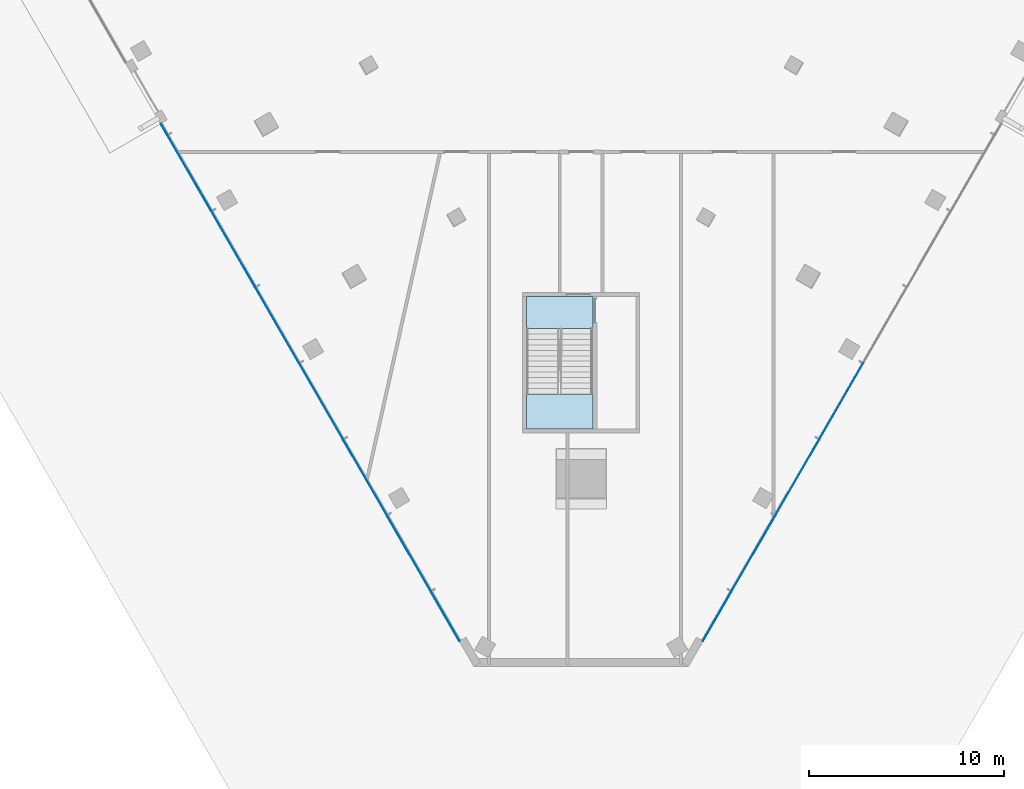
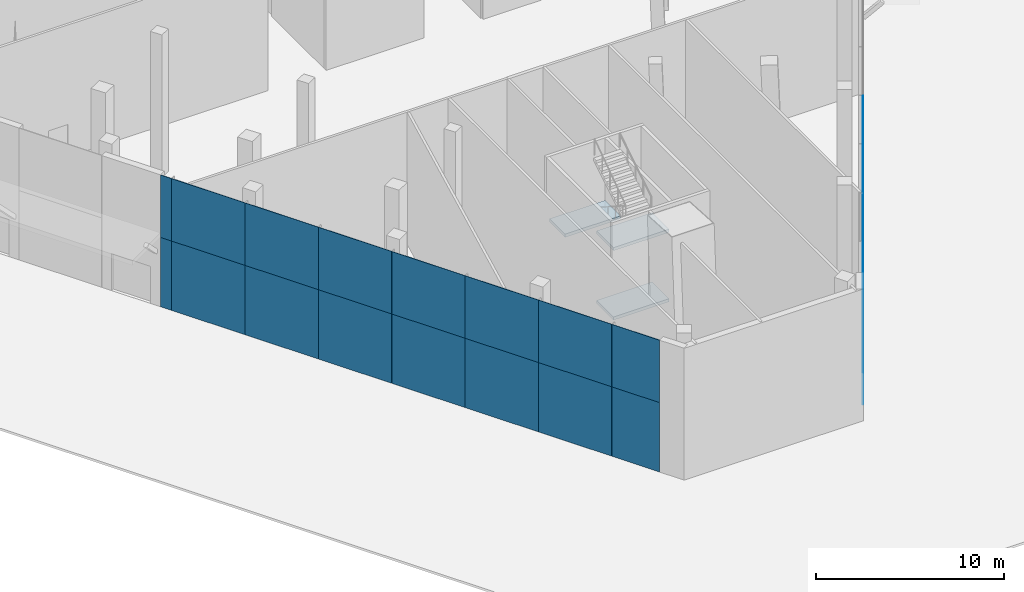
# One storey, part 6 of 21: 24 plates, 3 slabs, 3 elements without a shape of their own.
"""IFC4 building model written with IfcOpenShell, lengths in metres."""

from ifc_helpers import new_model, si_unit, direction, frame, origin, origin_2d, place, context, subcontext, project, spatial, polyline, rectangle, outline, extrude, material, layer, layer_set, type_object, element, aggregate, save


model = new_model("IFC4")

# Units and contexts
model_context = context("Model", 3, precision=1e-05, world=origin(), true_north=direction((0.0, 1.0)))
body_context = subcontext(model_context, "Body", "Model", "MODEL_VIEW")
ifc_project = project(units=[si_unit("LENGTHUNIT", "METRE"), si_unit("AREAUNIT", "SQUARE_METRE"), si_unit("VOLUMEUNIT", "CUBIC_METRE"), si_unit("PLANEANGLEUNIT", "RADIAN"), si_unit("MASSUNIT", "GRAM", prefix="KILO")], contexts=[model_context])

# Site, building, storey
site_placement = place(None, origin())
site = spatial("IfcSite", under=ifc_project, at=site_placement, CompositionType="ELEMENT")
building_placement = place(site_placement, origin())
building = spatial("IfcBuilding", under=site, at=building_placement, Name="Altiplano Prism Tower", CompositionType="ELEMENT")
storey_placement = place(building_placement, origin())
storey = spatial("IfcBuildingStorey", under=building, at=storey_placement, Name="L00", CompositionType="ELEMENT", Elevation=0.0)

# Curtain wall, plates
ifc_material_1 = material(Name="Aluminium and glass", Category="aluminium")
ifc_layer_1 = layer(ifc_material_1, 0.261962890625)
ifc_layer_set_1 = layer_set([ifc_layer_1], Name="Aluminium and glass")
curtain_wall_type = type_object("IfcCurtainWallType", Name="CW4 concourse and street shopfront", PredefinedType="NOTDEFINED", material=ifc_layer_set_1)
curtain_wall_1_placement = place(storey_placement, origin())
curtain_wall_1 = element("IfcCurtainWall", 1, at=curtain_wall_1_placement, inside=storey, type_object=curtain_wall_type, Name="CW4 shopfront south-west face L00", PredefinedType="NOTDEFINED")
ifc_material_2 = material(Name="Clear glass", Category="glass")
ifc_layer_2 = layer(ifc_material_2, 0.031982421875)
ifc_layer_set_2 = layer_set([ifc_layer_2], Name="Clear glass")
plate_type = type_object("IfcPlateType", Name="CW4 laminated glass panel 32", PredefinedType="CURTAIN_PANEL", material=ifc_layer_set_2)
plate_1_placement = place(storey_placement, frame((63.62548828125, 68.553955078125, 0.0), z_axis=(0.0, 0.0, 1.0), x_axis=(0.499999996478, -0.866025405818, 0.0)))
plate_1 = element("IfcPlate", 2, at=plate_1_placement, type_object=plate_type, Name="CW4 panel", PredefinedType="CURTAIN_PANEL", context=body_context, shape_type="SweptSolid", body=[
    extrude(rectangle(XDim=0.67333984375, YDim=0.031982421875, at=origin_2d()), origin(), (0.0, 0.0, 1.0), 4.5),
])
plate_2_placement = place(storey_placement, frame((63.62548828125, 68.553955078125, 4.5), z_axis=(0.0, 0.0, 1.0), x_axis=(0.499999996478, -0.866025405818, 0.0)))
plate_2 = element("IfcPlate", 3, at=plate_2_placement, type_object=plate_type, Name="CW4 panel", PredefinedType="CURTAIN_PANEL", context=body_context, shape_type="SweptSolid", body=[
    extrude(rectangle(XDim=0.67333984375, YDim=0.031982421875, at=origin_2d()), origin(), (0.0, 0.0, 1.0), 4.050048828125),
])
plate_3_placement = place(storey_placement, frame((64.921142578125, 66.309326171875, 0.0), z_axis=(0.0, 0.0, 1.0), x_axis=(0.499999996478, -0.866025405818, 0.0)))
plate_3 = element("IfcPlate", 4, at=plate_3_placement, type_object=plate_type, Name="CW4 panel", PredefinedType="CURTAIN_PANEL", context=body_context, shape_type="SweptSolid", body=[
    extrude(rectangle(XDim=4.489990234375, YDim=0.031982421875, at=origin_2d()), origin(), (0.0, 0.0, 1.0), 4.5),
])
plate_4_placement = place(storey_placement, frame((64.921142578125, 66.309326171875, 4.5), z_axis=(0.0, 0.0, 1.0), x_axis=(0.499999996478, -0.866025405818, 0.0)))
plate_4 = element("IfcPlate", 5, at=plate_4_placement, type_object=plate_type, Name="CW4 panel", PredefinedType="CURTAIN_PANEL", context=body_context, shape_type="SweptSolid", body=[
    extrude(rectangle(XDim=4.489990234375, YDim=0.031982421875, at=origin_2d()), origin(), (0.0, 0.0, 1.0), 4.050048828125),
])
plate_5_placement = place(storey_placement, frame((67.171142578125, 62.412353515625, 0.0), z_axis=(0.0, 0.0, 1.0), x_axis=(0.499999996478, -0.866025405818, 0.0)))
plate_5 = element("IfcPlate", 6, at=plate_5_placement, type_object=plate_type, Name="CW4 panel", PredefinedType="CURTAIN_PANEL", context=body_context, shape_type="SweptSolid", body=[
    extrude(rectangle(XDim=4.489990234375, YDim=0.031982421875, at=origin_2d()), origin(), (0.0, 0.0, 1.0), 4.5),
])
plate_6_placement = place(storey_placement, frame((67.171142578125, 62.412353515625, 4.5), z_axis=(0.0, 0.0, 1.0), x_axis=(0.499999996478, -0.866025405818, 0.0)))
plate_6 = element("IfcPlate", 7, at=plate_6_placement, type_object=plate_type, Name="CW4 panel", PredefinedType="CURTAIN_PANEL", context=body_context, shape_type="SweptSolid", body=[
    extrude(rectangle(XDim=4.489990234375, YDim=0.031982421875, at=origin_2d()), origin(), (0.0, 0.0, 1.0), 4.050048828125),
])
plate_7_placement = place(storey_placement, frame((69.421142578125, 58.51513671875, 0.0), z_axis=(0.0, 0.0, 1.0), x_axis=(0.499999996478, -0.866025405818, 0.0)))
plate_7 = element("IfcPlate", 8, at=plate_7_placement, type_object=plate_type, Name="CW4 panel", PredefinedType="CURTAIN_PANEL", context=body_context, shape_type="SweptSolid", body=[
    extrude(rectangle(XDim=4.489990234375, YDim=0.031982421875, at=origin_2d()), origin(), (0.0, 0.0, 1.0), 4.5),
])
plate_8_placement = place(storey_placement, frame((69.421142578125, 58.51513671875, 4.5), z_axis=(0.0, 0.0, 1.0), x_axis=(0.499999996478, -0.866025405818, 0.0)))
plate_8 = element("IfcPlate", 9, at=plate_8_placement, type_object=plate_type, Name="CW4 panel", PredefinedType="CURTAIN_PANEL", context=body_context, shape_type="SweptSolid", body=[
    extrude(rectangle(XDim=4.489990234375, YDim=0.031982421875, at=origin_2d()), origin(), (0.0, 0.0, 1.0), 4.050048828125),
])
plate_9_placement = place(storey_placement, frame((71.671142578125, 54.6181640625, 0.0), z_axis=(0.0, 0.0, 1.0), x_axis=(0.499999996478, -0.866025405818, 0.0)))
plate_9 = element("IfcPlate", 10, at=plate_9_placement, type_object=plate_type, Name="CW4 panel", PredefinedType="CURTAIN_PANEL", context=body_context, shape_type="SweptSolid", body=[
    extrude(rectangle(XDim=4.489990234375, YDim=0.031982421875, at=origin_2d()), origin(), (0.0, 0.0, 1.0), 4.5),
])
plate_10_placement = place(storey_placement, frame((71.671142578125, 54.6181640625, 4.5), z_axis=(0.0, 0.0, 1.0), x_axis=(0.499999996478, -0.866025405818, 0.0)))
plate_10 = element("IfcPlate", 11, at=plate_10_placement, type_object=plate_type, Name="CW4 panel", PredefinedType="CURTAIN_PANEL", context=body_context, shape_type="SweptSolid", body=[
    extrude(rectangle(XDim=4.489990234375, YDim=0.031982421875, at=origin_2d()), origin(), (0.0, 0.0, 1.0), 4.050048828125),
])
plate_11_placement = place(storey_placement, frame((73.921142578125, 50.720947265625, 0.0), z_axis=(0.0, 0.0, 1.0), x_axis=(0.499999996478, -0.866025405818, 0.0)))
plate_11 = element("IfcPlate", 12, at=plate_11_placement, type_object=plate_type, Name="CW4 panel", PredefinedType="CURTAIN_PANEL", context=body_context, shape_type="SweptSolid", body=[
    extrude(rectangle(XDim=4.489990234375, YDim=0.031982421875, at=origin_2d()), origin(), (0.0, 0.0, 1.0), 4.5),
])
plate_12_placement = place(storey_placement, frame((73.921142578125, 50.720947265625, 4.5), z_axis=(0.0, 0.0, 1.0), x_axis=(0.499999996478, -0.866025405818, 0.0)))
plate_12 = element("IfcPlate", 13, at=plate_12_placement, type_object=plate_type, Name="CW4 panel", PredefinedType="CURTAIN_PANEL", context=body_context, shape_type="SweptSolid", body=[
    extrude(rectangle(XDim=4.489990234375, YDim=0.031982421875, at=origin_2d()), origin(), (0.0, 0.0, 1.0), 4.050048828125),
])
plate_13_placement = place(storey_placement, frame((76.171142578125, 46.823974609375, 0.0), z_axis=(0.0, 0.0, 1.0), x_axis=(0.499999996478, -0.866025405818, 0.0)))
plate_13 = element("IfcPlate", 14, at=plate_13_placement, type_object=plate_type, Name="CW4 panel", PredefinedType="CURTAIN_PANEL", context=body_context, shape_type="SweptSolid", body=[
    extrude(rectangle(XDim=4.489990234375, YDim=0.031982421875, at=origin_2d()), origin(), (0.0, 0.0, 1.0), 4.5),
])
plate_14_placement = place(storey_placement, frame((76.171142578125, 46.823974609375, 4.5), z_axis=(0.0, 0.0, 1.0), x_axis=(0.499999996478, -0.866025405818, 0.0)))
plate_14 = element("IfcPlate", 15, at=plate_14_placement, type_object=plate_type, Name="CW4 panel", PredefinedType="CURTAIN_PANEL", context=body_context, shape_type="SweptSolid", body=[
    extrude(rectangle(XDim=4.489990234375, YDim=0.031982421875, at=origin_2d()), origin(), (0.0, 0.0, 1.0), 4.050048828125),
])
plate_15_placement = place(storey_placement, frame((78.030029296875, 43.604248046875, 0.0), z_axis=(0.0, 0.0, 1.0), x_axis=(0.499999996478, -0.866025405818, 0.0)))
plate_15 = element("IfcPlate", 16, at=plate_15_placement, type_object=plate_type, Name="CW4 panel", PredefinedType="CURTAIN_PANEL", context=body_context, shape_type="SweptSolid", body=[
    extrude(rectangle(XDim=2.92529296875, YDim=0.031982421875, at=origin_2d()), origin(), (0.0, 0.0, 1.0), 4.5),
])
plate_16_placement = place(storey_placement, frame((78.030029296875, 43.604248046875, 4.5), z_axis=(0.0, 0.0, 1.0), x_axis=(0.499999996478, -0.866025405818, 0.0)))
plate_16 = element("IfcPlate", 17, at=plate_16_placement, type_object=plate_type, Name="CW4 panel", PredefinedType="CURTAIN_PANEL", context=body_context, shape_type="SweptSolid", body=[
    extrude(rectangle(XDim=2.92529296875, YDim=0.031982421875, at=origin_2d()), origin(), (0.0, 0.0, 1.0), 4.050048828125),
])
aggregate(curtain_wall_1, [plate_1, plate_2, plate_3, plate_4, plate_5, plate_6, plate_7, plate_8, plate_9, plate_10, plate_11, plate_12, plate_13, plate_14, plate_15, plate_16])

curtain_wall_2_placement = place(storey_placement, origin())
curtain_wall_2 = element("IfcCurtainWall", 18, at=curtain_wall_2_placement, inside=storey, type_object=curtain_wall_type, Name="CW4 shopfront south-east face L00", PredefinedType="NOTDEFINED")
plate_17_placement = place(storey_placement, frame((91.969970703125, 43.604248046875, 0.0), z_axis=(0.0, 0.0, 1.0), x_axis=(0.499999996478, 0.866025405818, 0.0)))
plate_17 = element("IfcPlate", 19, at=plate_17_placement, type_object=plate_type, Name="CW4 panel", PredefinedType="CURTAIN_PANEL", context=body_context, shape_type="SweptSolid", body=[
    extrude(rectangle(XDim=2.92529296875, YDim=0.031982421875, at=origin_2d()), origin(), (0.0, 0.0, 1.0), 4.5),
])
plate_18_placement = place(storey_placement, frame((91.969970703125, 43.604248046875, 4.5), z_axis=(0.0, 0.0, 1.0), x_axis=(0.499999996478, 0.866025405818, 0.0)))
plate_18 = element("IfcPlate", 20, at=plate_18_placement, type_object=plate_type, Name="CW4 panel", PredefinedType="CURTAIN_PANEL", context=body_context, shape_type="SweptSolid", body=[
    extrude(rectangle(XDim=2.92529296875, YDim=0.031982421875, at=origin_2d()), origin(), (0.0, 0.0, 1.0), 4.050048828125),
])
plate_19_placement = place(storey_placement, frame((93.828857421875, 46.823974609375, 0.0), z_axis=(0.0, 0.0, 1.0), x_axis=(0.499999996478, 0.866025405818, 0.0)))
plate_19 = element("IfcPlate", 21, at=plate_19_placement, type_object=plate_type, Name="CW4 panel", PredefinedType="CURTAIN_PANEL", context=body_context, shape_type="SweptSolid", body=[
    extrude(rectangle(XDim=4.489990234375, YDim=0.031982421875, at=origin_2d()), origin(), (0.0, 0.0, 1.0), 4.5),
])
plate_20_placement = place(storey_placement, frame((93.828857421875, 46.823974609375, 4.5), z_axis=(0.0, 0.0, 1.0), x_axis=(0.499999996478, 0.866025405818, 0.0)))
plate_20 = element("IfcPlate", 22, at=plate_20_placement, type_object=plate_type, Name="CW4 panel", PredefinedType="CURTAIN_PANEL", context=body_context, shape_type="SweptSolid", body=[
    extrude(rectangle(XDim=4.489990234375, YDim=0.031982421875, at=origin_2d()), origin(), (0.0, 0.0, 1.0), 4.050048828125),
])
plate_21_placement = place(storey_placement, frame((96.078857421875, 50.720947265625, 0.0), z_axis=(0.0, 0.0, 1.0), x_axis=(0.499999996478, 0.866025405818, 0.0)))
plate_21 = element("IfcPlate", 23, at=plate_21_placement, type_object=plate_type, Name="CW4 panel", PredefinedType="CURTAIN_PANEL", context=body_context, shape_type="SweptSolid", body=[
    extrude(rectangle(XDim=4.489990234375, YDim=0.031982421875, at=origin_2d()), origin(), (0.0, 0.0, 1.0), 4.5),
])
plate_22_placement = place(storey_placement, frame((96.078857421875, 50.720947265625, 4.5), z_axis=(0.0, 0.0, 1.0), x_axis=(0.499999996478, 0.866025405818, 0.0)))
plate_22 = element("IfcPlate", 24, at=plate_22_placement, type_object=plate_type, Name="CW4 panel", PredefinedType="CURTAIN_PANEL", context=body_context, shape_type="SweptSolid", body=[
    extrude(rectangle(XDim=4.489990234375, YDim=0.031982421875, at=origin_2d()), origin(), (0.0, 0.0, 1.0), 4.050048828125),
])
plate_23_placement = place(storey_placement, frame((98.328857421875, 54.6181640625, 0.0), z_axis=(0.0, 0.0, 1.0), x_axis=(0.499999996478, 0.866025405818, 0.0)))
plate_23 = element("IfcPlate", 25, at=plate_23_placement, type_object=plate_type, Name="CW4 panel", PredefinedType="CURTAIN_PANEL", context=body_context, shape_type="SweptSolid", body=[
    extrude(rectangle(XDim=4.489990234375, YDim=0.031982421875, at=origin_2d()), origin(), (0.0, 0.0, 1.0), 4.5),
])
plate_24_placement = place(storey_placement, frame((98.328857421875, 54.6181640625, 4.5), z_axis=(0.0, 0.0, 1.0), x_axis=(0.499999996478, 0.866025405818, 0.0)))
plate_24 = element("IfcPlate", 26, at=plate_24_placement, type_object=plate_type, Name="CW4 panel", PredefinedType="CURTAIN_PANEL", context=body_context, shape_type="SweptSolid", body=[
    extrude(rectangle(XDim=4.489990234375, YDim=0.031982421875, at=origin_2d()), origin(), (0.0, 0.0, 1.0), 4.050048828125),
])
aggregate(curtain_wall_2, [plate_17, plate_18, plate_19, plate_20, plate_21, plate_22, plate_23, plate_24])

# Stair, slabs
ifc_material_3 = material(Name="Concrete C40/50", Category="concrete")
stair_type = type_object("IfcStairType", Name="Exit stair 1650", PredefinedType="HALF_TURN_STAIR", material=ifc_material_3)
stair_placement = place(storey_placement, origin())
stair = element("IfcStair", 27, at=stair_placement, inside=storey, type_object=stair_type, Name="L00 Exit Stair 4", PredefinedType="HALF_TURN_STAIR")
ifc_layer_3 = layer(ifc_material_3, 0.199951171875)
ifc_layer_set_3 = layer_set([ifc_layer_3], Name="Concrete C40/50")
slab_type = type_object("IfcSlabType", Name="Stair landing 200", PredefinedType="LANDING", material=ifc_layer_set_3)
slab_1_placement = place(storey_placement, frame((0.0, 0.0, 2.050048828125)))
slab_1 = element("IfcSlab", 28, at=slab_1_placement, type_object=slab_type, Name="ST4 landing 1", PredefinedType="LANDING", context=body_context, shape_type="SweptSolid", body=[
    extrude(outline(polyline([(82.199951171875, 54.992919921875), (82.199951171875, 53.199951171875), (85.60009765625, 53.199951171875), (85.60009765625, 54.992919921875), (82.199951171875, 54.992919921875)])), origin(), (0.0, 0.0, 1.0), 0.199951171875),
])
slab_2_placement = place(storey_placement, frame((0.0, 0.0, 4.300048828125)))
slab_2 = element("IfcSlab", 29, at=slab_2_placement, type_object=slab_type, Name="ST4 landing 2", PredefinedType="LANDING", context=body_context, shape_type="SweptSolid", body=[
    extrude(outline(polyline([(82.199951171875, 60.0), (82.199951171875, 58.346923828125), (85.60009765625, 58.346923828125), (85.60009765625, 60.0), (82.199951171875, 60.0)])), origin(), (0.0, 0.0, 1.0), 0.199951171875),
])
slab_3_placement = place(storey_placement, frame((0.0, 0.0, 6.550048828125)))
slab_3 = element("IfcSlab", 30, at=slab_3_placement, type_object=slab_type, Name="ST4 landing 3", PredefinedType="LANDING", context=body_context, shape_type="SweptSolid", body=[
    extrude(outline(polyline([(82.199951171875, 54.992919921875), (82.199951171875, 53.199951171875), (85.60009765625, 53.199951171875), (85.60009765625, 54.992919921875), (82.199951171875, 54.992919921875)])), origin(), (0.0, 0.0, 1.0), 0.199951171875),
])
aggregate(stair, [slab_1, slab_2, slab_3])

save(model, "model.ifc")
